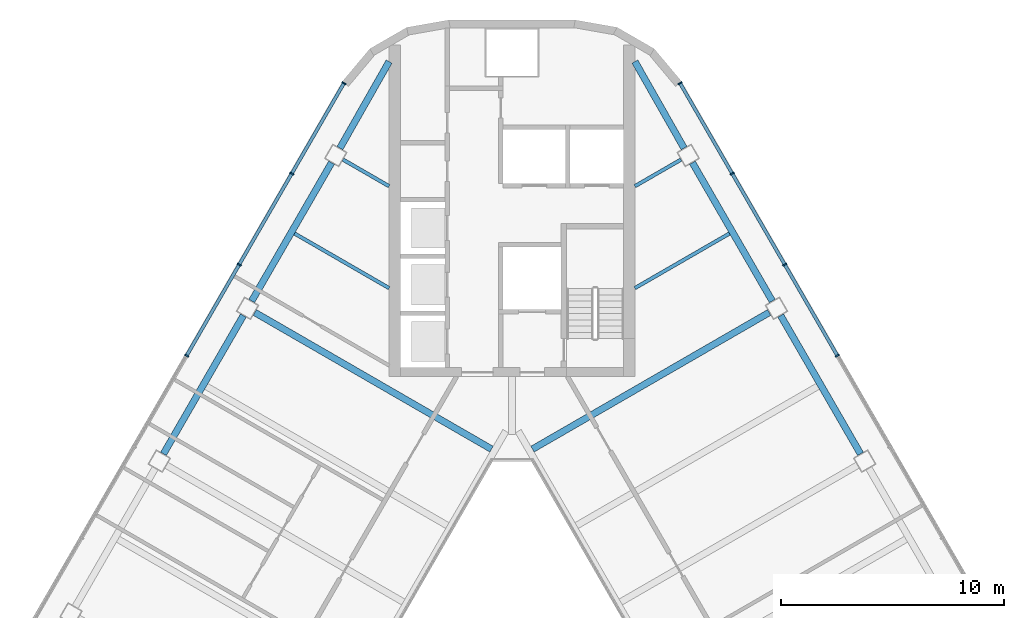
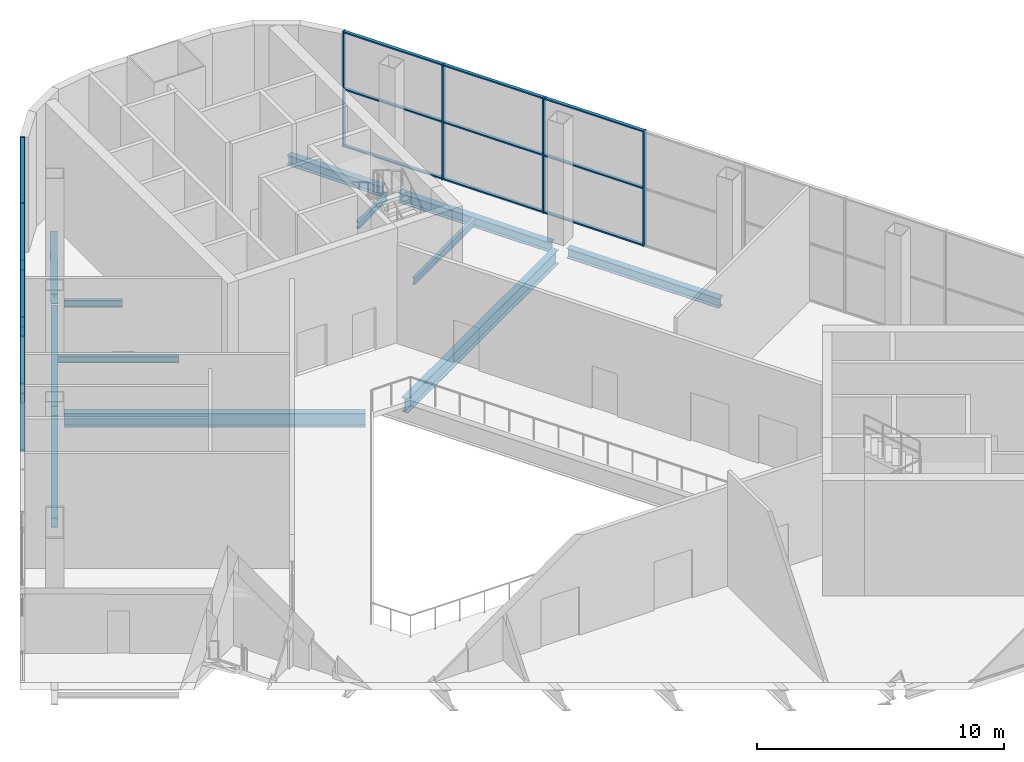
# One storey, part 5 of 14: 26 members, 12 beams, 2 elements without a shape of their own.
"""IFC4 building model written with IfcOpenShell, lengths in metres."""

from ifc_helpers import new_model, si_unit, direction, frame, origin, origin_2d, place, context, subcontext, project, spatial, rectangle, i_section, extrude, material, layer, layer_set, material_profile, profile_set, type_object, element, aggregate, save


model = new_model("IFC4")

# Units and contexts
model_context = context("Model", 3, precision=1e-05, world=origin(), true_north=direction((0.0, 1.0)))
body_context = subcontext(model_context, "Body", "Model", "MODEL_VIEW")
ifc_project = project(units=[si_unit("LENGTHUNIT", "METRE"), si_unit("AREAUNIT", "SQUARE_METRE"), si_unit("VOLUMEUNIT", "CUBIC_METRE"), si_unit("PLANEANGLEUNIT", "RADIAN"), si_unit("MASSUNIT", "GRAM", prefix="KILO")], contexts=[model_context])

# Site, building, storey
site_placement = place(None, origin())
site = spatial("IfcSite", under=ifc_project, at=site_placement, CompositionType="ELEMENT")
building_placement = place(site_placement, origin())
building = spatial("IfcBuilding", under=site, at=building_placement, Name="Apuvela Tower Hotel", CompositionType="ELEMENT")
storey_placement = place(building_placement, frame((0.0, 0.0, 231.699951171875)))
storey = spatial("IfcBuildingStorey", under=building, at=storey_placement, Name="L57", CompositionType="ELEMENT", Elevation=231.699951171875)

# Curtain wall, members
ifc_material_1 = material(Name="Aluminium 6063-T6, dark bronze anodised", Category="aluminium")
ifc_layer = layer(ifc_material_1, 0.199951171875)
ifc_layer_set = layer_set([ifc_layer], Name="ENV-CW-S")
curtain_wall_type = type_object("IfcCurtainWallType", Name="ENV-CW-S", PredefinedType="NOTDEFINED", material=ifc_layer_set)
curtain_wall_1_placement = place(storey_placement, origin())
curtain_wall_1 = element("IfcCurtainWall", 1, at=curtain_wall_1_placement, inside=storey, type_object=curtain_wall_type, Name="Curtain wall CW-S NE L57", PredefinedType="NOTDEFINED")
ifc_material_profile_1 = material_profile(ifc_material_1, rectangle(XDim=0.199951171875, YDim=0.06494140625, at=origin_2d()), Name="AL 65x200")
ifc_profile_set_1 = profile_set([ifc_material_profile_1], Name="Aluminium 6063-T6, dark bronze anodised")
member_type_1 = type_object("IfcMemberType", Name="ENV-MULLION-65x200", PredefinedType="MULLION", material=ifc_profile_set_1)
member_1_placement = place(storey_placement, frame((14.5615234375, 13.8388671875, 0.0), z_axis=(0.0, 0.0, 1.0), x_axis=(-0.866025924721, -0.49999909771, 0.0)))
member_1 = element("IfcMember", 2, at=member_1_placement, type_object=member_type_1, Name="CW-S mullion 6", PredefinedType="MULLION", context=body_context, shape_type="SweptSolid", body=[
    extrude(rectangle(XDim=0.199951171875, YDim=0.06494140625, at=origin_2d()), origin(), (0.0, 0.0, 1.0), 5.699951171875),
])
member_2_placement = place(storey_placement, frame((12.20947265625, 17.91259765625, 0.0), z_axis=(0.0, 0.0, 1.0), x_axis=(-0.866025924721, -0.49999909771, 0.0)))
member_2 = element("IfcMember", 3, at=member_2_placement, type_object=member_type_1, Name="CW-S mullion 7", PredefinedType="MULLION", context=body_context, shape_type="SweptSolid", body=[
    extrude(rectangle(XDim=0.199951171875, YDim=0.06494140625, at=origin_2d()), origin(), (0.0, 0.0, 1.0), 5.699951171875),
])
member_3_placement = place(storey_placement, frame((9.857666015625, 21.986328125, 0.0), z_axis=(0.0, 0.0, 1.0), x_axis=(-0.866025924721, -0.49999909771, 0.0)))
member_3 = element("IfcMember", 4, at=member_3_placement, type_object=member_type_1, Name="CW-S mullion 8", PredefinedType="MULLION", context=body_context, shape_type="SweptSolid", body=[
    extrude(rectangle(XDim=0.199951171875, YDim=0.06494140625, at=origin_2d()), origin(), (0.0, 0.0, 1.0), 5.699951171875),
])
member_4_placement = place(storey_placement, frame((7.521728515625, 26.03173828125, 0.0), z_axis=(0.0, 0.0, 1.0), x_axis=(-0.866025924721, -0.49999909771, 0.0)))
member_4 = element("IfcMember", 5, at=member_4_placement, type_object=member_type_1, Name="CW-S mullion 9", PredefinedType="MULLION", context=body_context, shape_type="SweptSolid", body=[
    extrude(rectangle(XDim=0.199951171875, YDim=0.06494140625, at=origin_2d()), origin(), (0.0, 0.0, 1.0), 5.699951171875),
])

curtain_wall_2_placement = place(storey_placement, origin())
curtain_wall_2 = element("IfcCurtainWall", 6, at=curtain_wall_2_placement, inside=storey, type_object=curtain_wall_type, Name="Curtain wall CW-S NW L57", PredefinedType="NOTDEFINED")
member_5_placement = place(storey_placement, frame((-7.521728515625, 26.03173828125, 0.0), z_axis=(0.0, 0.0, 1.0), x_axis=(0.866025924721, -0.49999909771, 0.0)))
member_5 = element("IfcMember", 7, at=member_5_placement, type_object=member_type_1, Name="CW-S mullion 1", PredefinedType="MULLION", context=body_context, shape_type="SweptSolid", body=[
    extrude(rectangle(XDim=0.199951171875, YDim=0.06494140625, at=origin_2d()), origin(), (0.0, 0.0, 1.0), 5.699951171875),
])
member_6_placement = place(storey_placement, frame((-9.857666015625, 21.986328125, 0.0), z_axis=(0.0, 0.0, 1.0), x_axis=(0.866025924721, -0.49999909771, 0.0)))
member_6 = element("IfcMember", 8, at=member_6_placement, type_object=member_type_1, Name="CW-S mullion 2", PredefinedType="MULLION", context=body_context, shape_type="SweptSolid", body=[
    extrude(rectangle(XDim=0.199951171875, YDim=0.06494140625, at=origin_2d()), origin(), (0.0, 0.0, 1.0), 5.699951171875),
])
member_7_placement = place(storey_placement, frame((-12.20947265625, 17.91259765625, 0.0), z_axis=(0.0, 0.0, 1.0), x_axis=(0.866025924721, -0.49999909771, 0.0)))
member_7 = element("IfcMember", 9, at=member_7_placement, type_object=member_type_1, Name="CW-S mullion 3", PredefinedType="MULLION", context=body_context, shape_type="SweptSolid", body=[
    extrude(rectangle(XDim=0.199951171875, YDim=0.06494140625, at=origin_2d()), origin(), (0.0, 0.0, 1.0), 5.699951171875),
])
member_8_placement = place(storey_placement, frame((-14.5615234375, 13.8388671875, 0.0), z_axis=(0.0, 0.0, 1.0), x_axis=(0.866025924721, -0.49999909771, 0.0)))
member_8 = element("IfcMember", 10, at=member_8_placement, type_object=member_type_1, Name="CW-S mullion 4", PredefinedType="MULLION", context=body_context, shape_type="SweptSolid", body=[
    extrude(rectangle(XDim=0.199951171875, YDim=0.06494140625, at=origin_2d()), origin(), (0.0, 0.0, 1.0), 5.699951171875),
])

# Member
ifc_material_profile_2 = material_profile(ifc_material_1, rectangle(XDim=0.14990234375, YDim=0.06494140625, at=origin_2d()), Name="AL 65x150 transom")
ifc_profile_set_2 = profile_set([ifc_material_profile_2], Name="Aluminium 6063-T6, dark bronze anodised")
member_type_2 = type_object("IfcMemberType", Name="ENV-TRANSOM-65x150", PredefinedType="USERDEFINED", material=ifc_profile_set_2)
member_9_placement = place(storey_placement, frame((14.545166015625, 13.866943359375, 0.032470703125), z_axis=(-0.499988210251, 0.866032210492, 0.0), x_axis=(-0.866032210492, -0.499988210251, 0.0)))
member_9 = element("IfcMember", 11, at=member_9_placement, type_object=member_type_2, Name="CW-S transom 6.1", ObjectType="TRANSOM", PredefinedType="USERDEFINED", context=body_context, shape_type="SweptSolid", body=[
    extrude(rectangle(XDim=0.14990234375, YDim=0.06494140625, at=origin_2d()), origin(), (0.0, 0.0, 1.0), 4.638671875),
])

member_10_placement = place(storey_placement, frame((14.545166015625, 13.866943359375, 2.85009765625), z_axis=(-0.499988210251, 0.866032210492, 0.0), x_axis=(-0.866032210492, -0.499988210251, 0.0)))
member_10 = element("IfcMember", 12, at=member_10_placement, type_object=member_type_2, Name="CW-S transom 6.2", ObjectType="TRANSOM", PredefinedType="USERDEFINED", context=body_context, shape_type="SweptSolid", body=[
    extrude(rectangle(XDim=0.14990234375, YDim=0.06494140625, at=origin_2d()), origin(), (0.0, 0.0, 1.0), 4.638671875),
])

member_11_placement = place(storey_placement, frame((14.545166015625, 13.866943359375, 5.66748046875), z_axis=(-0.499988210251, 0.866032210492, 0.0), x_axis=(-0.866032210492, -0.499988210251, 0.0)))
member_11 = element("IfcMember", 13, at=member_11_placement, type_object=member_type_2, Name="CW-S transom 6.3", ObjectType="TRANSOM", PredefinedType="USERDEFINED", context=body_context, shape_type="SweptSolid", body=[
    extrude(rectangle(XDim=0.14990234375, YDim=0.06494140625, at=origin_2d()), origin(), (0.0, 0.0, 1.0), 4.638671875),
])

member_12_placement = place(storey_placement, frame((12.193359375, 17.940673828125, 0.032470703125), z_axis=(-0.500027682067, 0.866009420946, 0.0), x_axis=(-0.866009420946, -0.500027682067, 0.0)))
member_12 = element("IfcMember", 14, at=member_12_placement, type_object=member_type_2, Name="CW-S transom 7.1", ObjectType="TRANSOM", PredefinedType="USERDEFINED", context=body_context, shape_type="SweptSolid", body=[
    extrude(rectangle(XDim=0.14990234375, YDim=0.06494140625, at=origin_2d()), origin(), (0.0, 0.0, 1.0), 4.638916015625),
])

member_13_placement = place(storey_placement, frame((12.193359375, 17.940673828125, 2.85009765625), z_axis=(-0.500027682067, 0.866009420946, 0.0), x_axis=(-0.866009420946, -0.500027682067, 0.0)))
member_13 = element("IfcMember", 15, at=member_13_placement, type_object=member_type_2, Name="CW-S transom 7.2", ObjectType="TRANSOM", PredefinedType="USERDEFINED", context=body_context, shape_type="SweptSolid", body=[
    extrude(rectangle(XDim=0.14990234375, YDim=0.06494140625, at=origin_2d()), origin(), (0.0, 0.0, 1.0), 4.638916015625),
])

member_14_placement = place(storey_placement, frame((12.193359375, 17.940673828125, 5.66748046875), z_axis=(-0.500027682067, 0.866009420946, 0.0), x_axis=(-0.866009420946, -0.500027682067, 0.0)))
member_14 = element("IfcMember", 16, at=member_14_placement, type_object=member_type_2, Name="CW-S transom 7.3", ObjectType="TRANSOM", PredefinedType="USERDEFINED", context=body_context, shape_type="SweptSolid", body=[
    extrude(rectangle(XDim=0.14990234375, YDim=0.06494140625, at=origin_2d()), origin(), (0.0, 0.0, 1.0), 4.638916015625),
])

member_15_placement = place(storey_placement, frame((9.84130859375, 22.014404296875, 0.032470703125), z_axis=(-0.500003839917, 0.866023186796, 0.0), x_axis=(-0.866023186796, -0.500003839917, 0.0)))
member_15 = element("IfcMember", 17, at=member_15_placement, type_object=member_type_2, Name="CW-S transom 8.1", ObjectType="TRANSOM", PredefinedType="USERDEFINED", context=body_context, shape_type="SweptSolid", body=[
    extrude(rectangle(XDim=0.14990234375, YDim=0.06494140625, at=origin_2d()), origin(), (0.0, 0.0, 1.0), 4.6064453125),
])

member_16_placement = place(storey_placement, frame((9.84130859375, 22.014404296875, 2.85009765625), z_axis=(-0.500003839917, 0.866023186796, 0.0), x_axis=(-0.866023186796, -0.500003839917, 0.0)))
member_16 = element("IfcMember", 18, at=member_16_placement, type_object=member_type_2, Name="CW-S transom 8.2", ObjectType="TRANSOM", PredefinedType="USERDEFINED", context=body_context, shape_type="SweptSolid", body=[
    extrude(rectangle(XDim=0.14990234375, YDim=0.06494140625, at=origin_2d()), origin(), (0.0, 0.0, 1.0), 4.6064453125),
])

member_17_placement = place(storey_placement, frame((9.84130859375, 22.014404296875, 5.66748046875), z_axis=(-0.500003839917, 0.866023186796, 0.0), x_axis=(-0.866023186796, -0.500003839917, 0.0)))
member_17 = element("IfcMember", 19, at=member_17_placement, type_object=member_type_2, Name="CW-S transom 8.3", ObjectType="TRANSOM", PredefinedType="USERDEFINED", context=body_context, shape_type="SweptSolid", body=[
    extrude(rectangle(XDim=0.14990234375, YDim=0.06494140625, at=origin_2d()), origin(), (0.0, 0.0, 1.0), 4.6064453125),
])

aggregate(curtain_wall_1, [member_1, member_2, member_3, member_4, member_9, member_10, member_11, member_12, member_13, member_14, member_15, member_16, member_17])

member_18_placement = place(storey_placement, frame((-7.5380859375, 26.003662109375, 0.032470703125), z_axis=(-0.500003839917, -0.866023186796, 0.0), x_axis=(0.866023186796, -0.500003839917, 0.0)))
member_18 = element("IfcMember", 20, at=member_18_placement, type_object=member_type_2, Name="CW-S transom 1.1", ObjectType="TRANSOM", PredefinedType="USERDEFINED", context=body_context, shape_type="SweptSolid", body=[
    extrude(rectangle(XDim=0.14990234375, YDim=0.06494140625, at=origin_2d()), origin(), (0.0, 0.0, 1.0), 4.6064453125),
])

member_19_placement = place(storey_placement, frame((-7.5380859375, 26.003662109375, 2.85009765625), z_axis=(-0.500003839917, -0.866023186796, 0.0), x_axis=(0.866023186796, -0.500003839917, 0.0)))
member_19 = element("IfcMember", 21, at=member_19_placement, type_object=member_type_2, Name="CW-S transom 1.2", ObjectType="TRANSOM", PredefinedType="USERDEFINED", context=body_context, shape_type="SweptSolid", body=[
    extrude(rectangle(XDim=0.14990234375, YDim=0.06494140625, at=origin_2d()), origin(), (0.0, 0.0, 1.0), 4.6064453125),
])

member_20_placement = place(storey_placement, frame((-7.5380859375, 26.003662109375, 5.66748046875), z_axis=(-0.500003839917, -0.866023186796, 0.0), x_axis=(0.866023186796, -0.500003839917, 0.0)))
member_20 = element("IfcMember", 22, at=member_20_placement, type_object=member_type_2, Name="CW-S transom 1.3", ObjectType="TRANSOM", PredefinedType="USERDEFINED", context=body_context, shape_type="SweptSolid", body=[
    extrude(rectangle(XDim=0.14990234375, YDim=0.06494140625, at=origin_2d()), origin(), (0.0, 0.0, 1.0), 4.6064453125),
])

member_21_placement = place(storey_placement, frame((-9.873779296875, 21.9580078125, 0.032470703125), z_axis=(-0.500027682067, -0.866009420946, 0.0), x_axis=(0.866009420946, -0.500027682067, 0.0)))
member_21 = element("IfcMember", 23, at=member_21_placement, type_object=member_type_2, Name="CW-S transom 2.1", ObjectType="TRANSOM", PredefinedType="USERDEFINED", context=body_context, shape_type="SweptSolid", body=[
    extrude(rectangle(XDim=0.14990234375, YDim=0.06494140625, at=origin_2d()), origin(), (0.0, 0.0, 1.0), 4.638916015625),
])

member_22_placement = place(storey_placement, frame((-9.873779296875, 21.9580078125, 2.85009765625), z_axis=(-0.500027682067, -0.866009420946, 0.0), x_axis=(0.866009420946, -0.500027682067, 0.0)))
member_22 = element("IfcMember", 24, at=member_22_placement, type_object=member_type_2, Name="CW-S transom 2.2", ObjectType="TRANSOM", PredefinedType="USERDEFINED", context=body_context, shape_type="SweptSolid", body=[
    extrude(rectangle(XDim=0.14990234375, YDim=0.06494140625, at=origin_2d()), origin(), (0.0, 0.0, 1.0), 4.638916015625),
])

member_23_placement = place(storey_placement, frame((-9.873779296875, 21.9580078125, 5.66748046875), z_axis=(-0.500027682067, -0.866009420946, 0.0), x_axis=(0.866009420946, -0.500027682067, 0.0)))
member_23 = element("IfcMember", 25, at=member_23_placement, type_object=member_type_2, Name="CW-S transom 2.3", ObjectType="TRANSOM", PredefinedType="USERDEFINED", context=body_context, shape_type="SweptSolid", body=[
    extrude(rectangle(XDim=0.14990234375, YDim=0.06494140625, at=origin_2d()), origin(), (0.0, 0.0, 1.0), 4.638916015625),
])

member_24_placement = place(storey_placement, frame((-12.225830078125, 17.88427734375, 0.032470703125), z_axis=(-0.499988210251, -0.866032210492, 0.0), x_axis=(0.866032210492, -0.499988210251, 0.0)))
member_24 = element("IfcMember", 26, at=member_24_placement, type_object=member_type_2, Name="CW-S transom 3.1", ObjectType="TRANSOM", PredefinedType="USERDEFINED", context=body_context, shape_type="SweptSolid", body=[
    extrude(rectangle(XDim=0.14990234375, YDim=0.06494140625, at=origin_2d()), origin(), (0.0, 0.0, 1.0), 4.638671875),
])

member_25_placement = place(storey_placement, frame((-12.225830078125, 17.88427734375, 2.85009765625), z_axis=(-0.499988210251, -0.866032210492, 0.0), x_axis=(0.866032210492, -0.499988210251, 0.0)))
member_25 = element("IfcMember", 27, at=member_25_placement, type_object=member_type_2, Name="CW-S transom 3.2", ObjectType="TRANSOM", PredefinedType="USERDEFINED", context=body_context, shape_type="SweptSolid", body=[
    extrude(rectangle(XDim=0.14990234375, YDim=0.06494140625, at=origin_2d()), origin(), (0.0, 0.0, 1.0), 4.638671875),
])

member_26_placement = place(storey_placement, frame((-12.225830078125, 17.88427734375, 5.66748046875), z_axis=(-0.499988210251, -0.866032210492, 0.0), x_axis=(0.866032210492, -0.499988210251, 0.0)))
member_26 = element("IfcMember", 28, at=member_26_placement, type_object=member_type_2, Name="CW-S transom 3.3", ObjectType="TRANSOM", PredefinedType="USERDEFINED", context=body_context, shape_type="SweptSolid", body=[
    extrude(rectangle(XDim=0.14990234375, YDim=0.06494140625, at=origin_2d()), origin(), (0.0, 0.0, 1.0), 4.638671875),
])

aggregate(curtain_wall_2, [member_5, member_6, member_7, member_8, member_18, member_19, member_20, member_21, member_22, member_23, member_24, member_25, member_26])

# Beams
ifc_material_2 = material(Name="Steel S355", Category="steel")
ifc_material_profile_3 = material_profile(ifc_material_2, i_section(OverallWidth=0.300048828125, OverallDepth=0.68994140625, WebThickness=0.014404296875, FlangeThickness=0.027099609375, at=origin_2d()), Name="HE 700 A")
ifc_profile_set_3 = profile_set([ifc_material_profile_3], Name="Steel S355")
beam_type_1 = type_object("IfcBeamType", Name="STR-B floor beam HE 700 A", PredefinedType="BEAM", material=ifc_profile_set_3)
for number, where, z_axis, x_axis, name in (
    (29, (11.512939453125, 15.76904296875, -0.594970703125), (-0.866030406821, -0.499991334387, 0.0), (0.499991334387, -0.866030406821, 0.0), "Floor beam B6 NE7"),
    (30, (-11.512939453125, 15.76904296875, -0.594970703125), (0.866030406821, -0.499991334387, 0.0), (0.499991334387, 0.866030406821, 0.0), "Floor beam B6 NW3"),
):
    element("IfcBeam", number, at=place(storey_placement, frame(where, z_axis=z_axis, x_axis=x_axis)), inside=storey, type_object=beam_type_1, Name=name, PredefinedType="BEAM", context=body_context, shape_type="SweptSolid", body=[
        extrude(i_section(OverallWidth=0.300048828125, OverallDepth=0.68994140625, WebThickness=0.014404296875, FlangeThickness=0.027099609375, at=origin_2d()), origin(), (0.0, 0.0, 1.0), 12.235107421875),
    ])
ifc_material_profile_4 = material_profile(ifc_material_2, i_section(OverallWidth=0.159912109375, OverallDepth=0.330078125, WebThickness=0.007568359375, FlangeThickness=0.011474609375, at=origin_2d()), Name="IPE 330")
ifc_profile_set_4 = profile_set([ifc_material_profile_4], Name="Steel S355")
beam_type_2 = type_object("IfcBeamType", Name="STR-B floor beam IPE 330", PredefinedType="BEAM", material=ifc_profile_set_4)
beam_1_placement = place(storey_placement, frame((9.732666015625, 19.302490234375, -0.4150390625), z_axis=(-0.866015056278, -0.500017921979, 0.0), x_axis=(0.500017921979, -0.866015056278, 0.0)))
element("IfcBeam", 31, at=beam_1_placement, inside=storey, type_object=beam_type_2, Name="Floor beam B1 NE8", PredefinedType="BEAM", context=body_context, shape_type="SweptSolid", body=[
    extrude(i_section(OverallWidth=0.159912109375, OverallDepth=0.330078125, WebThickness=0.007568359375, FlangeThickness=0.011474609375, at=origin_2d()), origin(), (0.0, 0.0, 1.0), 4.887451171875),
])
for number, where, z_axis, x_axis, name in (
    (32, (7.56298828125, 22.610595703125, -0.4150390625), (-0.866052464367, -0.499953126767, 0.0), (0.499953126767, -0.866052464367, 0.0), "Floor beam B1 NE9"),
    (33, (-7.56298828125, 22.610595703125, -0.4150390625), (0.866052464367, -0.499953126767, 0.0), (0.499953126767, 0.866052464367, 0.0), "Floor beam B1 NW1"),
):
    element("IfcBeam", number, at=place(storey_placement, frame(where, z_axis=z_axis, x_axis=x_axis)), inside=storey, type_object=beam_type_2, Name=name, PredefinedType="BEAM", context=body_context, shape_type="SweptSolid", body=[
        extrude(i_section(OverallWidth=0.159912109375, OverallDepth=0.330078125, WebThickness=0.007568359375, FlangeThickness=0.011474609375, at=origin_2d()), origin(), (0.0, 0.0, 1.0), 2.382080078125),
    ])
beam_2_placement = place(storey_placement, frame((-9.732666015625, 19.302490234375, -0.4150390625), z_axis=(0.866015056278, -0.500017921979, 0.0), x_axis=(0.500017921979, 0.866015056278, 0.0)))
element("IfcBeam", 34, at=beam_2_placement, inside=storey, type_object=beam_type_2, Name="Floor beam B1 NW2", PredefinedType="BEAM", context=body_context, shape_type="SweptSolid", body=[
    extrude(i_section(OverallWidth=0.159912109375, OverallDepth=0.330078125, WebThickness=0.007568359375, FlangeThickness=0.011474609375, at=origin_2d()), origin(), (0.0, 0.0, 1.0), 4.887451171875),
])
ifc_material_profile_5 = material_profile(ifc_material_2, i_section(OverallWidth=0.300048828125, OverallDepth=0.489990234375, WebThickness=0.011962890625, FlangeThickness=0.02294921875, at=origin_2d()), Name="HE 500 A")
ifc_profile_set_5 = profile_set([ifc_material_profile_5], Name="Steel S355")
beam_type_3 = type_object("IfcBeamType", Name="STR-SB spandrel beam HE 500 A", PredefinedType="SPANDREL", material=ifc_profile_set_5)
beam_3_placement = place(storey_placement, frame((15.60009765625, 9.439697265625, -0.494873046875), z_axis=(-0.499991424076, 0.86603035504, 0.0), x_axis=(-0.86603035504, -0.499991424076, 0.0)))
element("IfcBeam", 35, at=beam_3_placement, inside=storey, type_object=beam_type_3, Name="Spandrel beam SB3 NE3", PredefinedType="SPANDREL", context=body_context, shape_type="SweptSolid", body=[
    extrude(i_section(OverallWidth=0.300048828125, OverallDepth=0.489990234375, WebThickness=0.011962890625, FlangeThickness=0.02294921875, at=origin_2d()), origin(), (0.0, 0.0, 1.0), 7.150146484375),
])
for number, where, z_axis, x_axis, name in (
    (36, (11.650146484375, 16.281494140625, -0.494873046875), (-0.500006209673, 0.866021818598, 0.0), (-0.866021818598, -0.500006209673, 0.0), "Spandrel beam SB3 NE4"),
    (37, (-8.0751953125, 22.473388671875, -0.494873046875), (-0.500006209673, -0.866021818598, 0.0), (0.866021818598, -0.500006209673, 0.0), "Spandrel beam SB3 NW1"),
):
    element("IfcBeam", number, at=place(storey_placement, frame(where, z_axis=z_axis, x_axis=x_axis)), inside=storey, type_object=beam_type_3, Name=name, PredefinedType="SPANDREL", context=body_context, shape_type="SweptSolid", body=[
        extrude(i_section(OverallWidth=0.300048828125, OverallDepth=0.489990234375, WebThickness=0.011962890625, FlangeThickness=0.02294921875, at=origin_2d()), origin(), (0.0, 0.0, 1.0), 7.14990234375),
    ])
beam_4_placement = place(storey_placement, frame((-12.025146484375, 15.6318359375, -0.494873046875), z_axis=(-0.499991424076, -0.86603035504, 0.0), x_axis=(0.86603035504, -0.499991424076, 0.0)))
element("IfcBeam", 38, at=beam_4_placement, inside=storey, type_object=beam_type_3, Name="Spandrel beam SB3 NW2", PredefinedType="SPANDREL", context=body_context, shape_type="SweptSolid", body=[
    extrude(i_section(OverallWidth=0.300048828125, OverallDepth=0.489990234375, WebThickness=0.011962890625, FlangeThickness=0.02294921875, at=origin_2d()), origin(), (0.0, 0.0, 1.0), 7.150146484375),
])
for number, where, z_axis, x_axis, name in (
    (39, (7.702392578125, 23.124267578125, -0.494873046875), (-0.494055513212, 0.869430359411, 0.0), (-0.869430359411, -0.494055513212, 0.0), "Spandrel beam SB3 NE5-N"),
    (40, (-7.702392578125, 23.124267578125, -0.494873046875), (0.494055513212, 0.869430359411, 0.0), (-0.869430359411, 0.494055513212, 0.0), "Spandrel beam SB3 NW1-N"),
):
    element("IfcBeam", number, at=place(storey_placement, frame(where, z_axis=z_axis, x_axis=x_axis)), inside=storey, type_object=beam_type_3, Name=name, PredefinedType="SPANDREL", context=body_context, shape_type="SweptSolid", body=[
        extrude(i_section(OverallWidth=0.300048828125, OverallDepth=0.489990234375, WebThickness=0.011962890625, FlangeThickness=0.02294921875, at=origin_2d()), origin(), (0.0, 0.0, 1.0), 4.457763671875),
    ])

save(model, "model.ifc")
